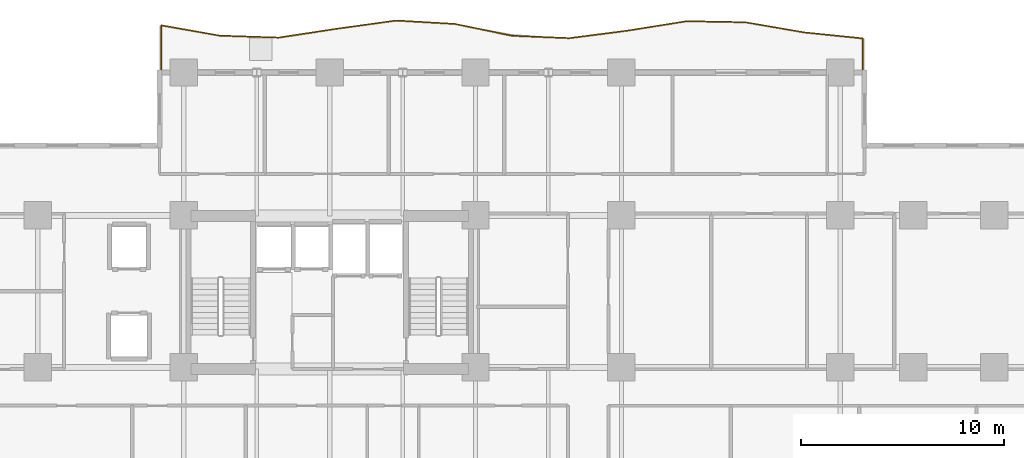
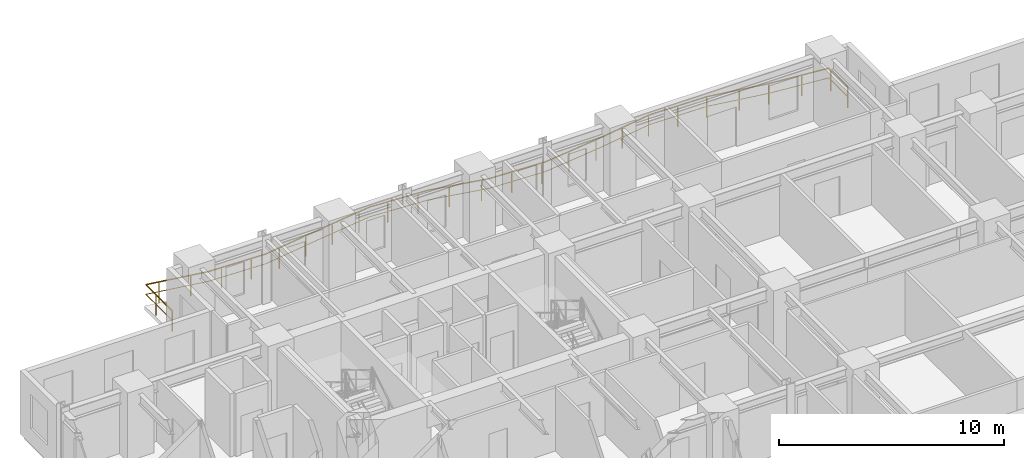
# One storey, part 11 of 11: 1 railing.
"""IFC4 building model written with IfcOpenShell, lengths in metres."""

from ifc_helpers import new_model, si_unit, direction, frame, origin, origin_2d, place, context, subcontext, project, spatial, rectangle, extrude, material, type_object, element, save


model = new_model("IFC4")

# Units and contexts
model_context = context("Model", 3, precision=1e-05, world=origin(), true_north=direction((0.0, 1.0)))
body_context = subcontext(model_context, "Body", "Model", "MODEL_VIEW")
ifc_project = project(units=[si_unit("LENGTHUNIT", "METRE"), si_unit("AREAUNIT", "SQUARE_METRE"), si_unit("VOLUMEUNIT", "CUBIC_METRE"), si_unit("PLANEANGLEUNIT", "RADIAN"), si_unit("MASSUNIT", "GRAM", prefix="KILO")], contexts=[model_context])

# Site, building, storey
site_placement = place(None, origin())
site = spatial("IfcSite", under=ifc_project, at=site_placement, CompositionType="ELEMENT")
building_placement = place(site_placement, origin())
building = spatial("IfcBuilding", under=site, at=building_placement, Name="Kaliganga Portal Commons", CompositionType="ELEMENT")
storey_placement = place(building_placement, frame((0.0, 0.0, 66.0)))
storey = spatial("IfcBuildingStorey", under=building, at=storey_placement, Name="L16", CompositionType="ELEMENT", Elevation=66.0)

# Railing
ifc_material = material(Name="Laminated Safety Glass and Stainless Steel 316", Category="steel")
railing_type = type_object("IfcRailingType", Name="RLG-BAL-1150", PredefinedType="BALUSTRADE", material=ifc_material)
railing_placement = place(storey_placement, frame((47.92041015625, 43.20849609375, 0.0)))
element("IfcRailing", 1, at=railing_placement, inside=storey, type_object=railing_type, Name="Balcony Guardrail L16 balc_north", PredefinedType="BALUSTRADE", context=body_context, shape_type="SweptSolid", body=[
    extrude(rectangle(XDim=0.048095703125, YDim=0.048095703125, at=origin_2d()), frame((0.0, 0.0, 1.1259765625), z_axis=(-0.000290866771, 0.999999957698, 0.0), x_axis=(-0.999999957698, -0.000290866771, 0.0)), (0.0, 0.0, 1.0), 1.6787109375),
    extrude(rectangle(XDim=0.028076171875, YDim=0.028076171875, at=origin_2d()), frame((0.0, 0.0, 0.597900390625), z_axis=(-0.000290866771, 0.999999957698, 0.0), x_axis=(-0.999999957698, -0.000290866771, 0.0)), (0.0, 0.0, 1.0), 1.6787109375),
    extrude(rectangle(XDim=0.048095703125, YDim=0.048095703125, at=origin_2d()), frame((-0.00048828125, 1.6787109375, 1.1259765625), z_axis=(-0.994834487762, 0.101510304695, 0.0), x_axis=(-0.101510304695, -0.994834487762, 0.0)), (0.0, 0.0, 1.0), 2.9150390625),
    extrude(rectangle(XDim=0.028076171875, YDim=0.028076171875, at=origin_2d()), frame((-0.00048828125, 1.6787109375, 0.597900390625), z_axis=(-0.994834487762, 0.101510304695, 0.0), x_axis=(-0.101510304695, -0.994834487762, 0.0)), (0.0, 0.0, 1.0), 2.9150390625),
    extrude(rectangle(XDim=0.048095703125, YDim=0.048095703125, at=origin_2d()), frame((-2.900390625, 1.974609375, 1.1259765625), z_axis=(-0.985375695281, 0.170395830789, 0.0), x_axis=(-0.170395830789, -0.985375695281, 0.0)), (0.0, 0.0, 1.0), 2.94287109375),
    extrude(rectangle(XDim=0.028076171875, YDim=0.028076171875, at=origin_2d()), frame((-2.900390625, 1.974609375, 0.597900390625), z_axis=(-0.985375695281, 0.170395830789, 0.0), x_axis=(-0.170395830789, -0.985375695281, 0.0)), (0.0, 0.0, 1.0), 2.94287109375),
    extrude(rectangle(XDim=0.048095703125, YDim=0.048095703125, at=origin_2d()), frame((-5.80029296875, 2.47607421875, 1.1259765625), z_axis=(-0.999836222748, 0.018097725871, 0.0), x_axis=(-0.018097725871, -0.999836222748, 0.0)), (0.0, 0.0, 1.0), 2.900390625),
    extrude(rectangle(XDim=0.028076171875, YDim=0.028076171875, at=origin_2d()), frame((-5.80029296875, 2.47607421875, 0.597900390625), z_axis=(-0.999836222748, 0.018097725871, 0.0), x_axis=(-0.018097725871, -0.999836222748, 0.0)), (0.0, 0.0, 1.0), 2.900390625),
    extrude(rectangle(XDim=0.048095703125, YDim=0.048095703125, at=origin_2d()), frame((-8.7001953125, 2.528564453125, 1.1259765625), z_axis=(-0.987448930145, -0.157938628443, 0.0), x_axis=(0.157938628443, -0.987448930145, 0.0)), (0.0, 0.0, 1.0), 2.93701171875),
    extrude(rectangle(XDim=0.028076171875, YDim=0.028076171875, at=origin_2d()), frame((-8.7001953125, 2.528564453125, 0.597900390625), z_axis=(-0.987448930145, -0.157938628443, 0.0), x_axis=(0.157938628443, -0.987448930145, 0.0)), (0.0, 0.0, 1.0), 2.93701171875),
    extrude(rectangle(XDim=0.048095703125, YDim=0.048095703125, at=origin_2d()), frame((-11.600341796875, 2.064697265625, 1.1259765625), z_axis=(-0.991827022196, -0.127589803832, 0.0), x_axis=(0.127589803832, -0.991827022196, 0.0)), (0.0, 0.0, 1.0), 2.923828125),
    extrude(rectangle(XDim=0.028076171875, YDim=0.028076171875, at=origin_2d()), frame((-11.600341796875, 2.064697265625, 0.597900390625), z_axis=(-0.991827022196, -0.127589803832, 0.0), x_axis=(0.127589803832, -0.991827022196, 0.0)), (0.0, 0.0, 1.0), 2.923828125),
    extrude(rectangle(XDim=0.048095703125, YDim=0.048095703125, at=origin_2d()), frame((-14.500244140625, 1.691650390625, 1.1259765625), z_axis=(-0.999119680054, 0.041950744076, 0.0), x_axis=(-0.041950744076, -0.999119680054, 0.0)), (0.0, 0.0, 1.0), 2.822509765625),
    extrude(rectangle(XDim=0.028076171875, YDim=0.028076171875, at=origin_2d()), frame((-14.500244140625, 1.691650390625, 0.597900390625), z_axis=(-0.999119680054, 0.041950744076, 0.0), x_axis=(-0.041950744076, -0.999119680054, 0.0)), (0.0, 0.0, 1.0), 2.822509765625),
    extrude(rectangle(XDim=0.048095703125, YDim=0.048095703125, at=origin_2d()), frame((-17.3203125, 1.81005859375, 1.1259765625), z_axis=(-0.979181519102, 0.202986582434, 0.0), x_axis=(-0.202986582434, -0.979181519102, 0.0)), (0.0, 0.0, 1.0), 2.8818359375),
    extrude(rectangle(XDim=0.028076171875, YDim=0.028076171875, at=origin_2d()), frame((-17.3203125, 1.81005859375, 0.597900390625), z_axis=(-0.979181519102, 0.202986582434, 0.0), x_axis=(-0.202986582434, -0.979181519102, 0.0)), (0.0, 0.0, 1.0), 2.8818359375),
    extrude(rectangle(XDim=0.048095703125, YDim=0.048095703125, at=origin_2d()), frame((-20.14208984375, 2.39501953125, 1.1259765625), z_axis=(-0.998349782206, 0.057425711744, 0.0), x_axis=(-0.057425711744, -0.998349782206, 0.0)), (0.0, 0.0, 1.0), 2.90380859375),
    extrude(rectangle(XDim=0.028076171875, YDim=0.028076171875, at=origin_2d()), frame((-20.14208984375, 2.39501953125, 0.597900390625), z_axis=(-0.998349782206, 0.057425711744, 0.0), x_axis=(-0.057425711744, -0.998349782206, 0.0)), (0.0, 0.0, 1.0), 2.90380859375),
    extrude(rectangle(XDim=0.048095703125, YDim=0.048095703125, at=origin_2d()), frame((-23.041015625, 2.561767578125, 1.1259765625), z_axis=(-0.990542717902, -0.137204679265, 0.0), x_axis=(0.137204679265, -0.990542717902, 0.0)), (0.0, 0.0, 1.0), 2.927001953125),
    extrude(rectangle(XDim=0.028076171875, YDim=0.028076171875, at=origin_2d()), frame((-23.041015625, 2.561767578125, 0.597900390625), z_axis=(-0.990542717902, -0.137204679265, 0.0), x_axis=(0.137204679265, -0.990542717902, 0.0)), (0.0, 0.0, 1.0), 2.927001953125),
    extrude(rectangle(XDim=0.048095703125, YDim=0.048095703125, at=origin_2d()), frame((-25.9404296875, 2.16015625, 1.1259765625), z_axis=(-0.98858813949, -0.150643587513, 0.0), x_axis=(0.150643587513, -0.98858813949, 0.0)), (0.0, 0.0, 1.0), 2.933349609375),
    extrude(rectangle(XDim=0.028076171875, YDim=0.028076171875, at=origin_2d()), frame((-25.9404296875, 2.16015625, 0.597900390625), z_axis=(-0.98858813949, -0.150643587513, 0.0), x_axis=(0.150643587513, -0.98858813949, 0.0)), (0.0, 0.0, 1.0), 2.933349609375),
    extrude(rectangle(XDim=0.048095703125, YDim=0.048095703125, at=origin_2d()), frame((-28.84033203125, 1.71826171875, 1.1259765625), z_axis=(-0.999442008432, 0.033401673318, 0.0), x_axis=(-0.033401673318, -0.999442008432, 0.0)), (0.0, 0.0, 1.0), 2.90185546875),
    extrude(rectangle(XDim=0.028076171875, YDim=0.028076171875, at=origin_2d()), frame((-28.84033203125, 1.71826171875, 0.597900390625), z_axis=(-0.999442008432, 0.033401673318, 0.0), x_axis=(-0.033401673318, -0.999442008432, 0.0)), (0.0, 0.0, 1.0), 2.90185546875),
    extrude(rectangle(XDim=0.048095703125, YDim=0.048095703125, at=origin_2d()), frame((-31.740478515625, 1.815185546875, 1.1259765625), z_axis=(-0.984785228068, 0.173775874561, 0.0), x_axis=(-0.173775874561, -0.984785228068, 0.0)), (0.0, 0.0, 1.0), 2.94482421875),
    extrude(rectangle(XDim=0.028076171875, YDim=0.028076171875, at=origin_2d()), frame((-31.740478515625, 1.815185546875, 0.597900390625), z_axis=(-0.984785228068, 0.173775874561, 0.0), x_axis=(-0.173775874561, -0.984785228068, 0.0)), (0.0, 0.0, 1.0), 2.94482421875),
    extrude(rectangle(XDim=0.048095703125, YDim=0.048095703125, at=origin_2d()), frame((-34.640380859375, 2.326904296875, 1.1259765625), z_axis=(-0.000209841565, -0.999999977983, 0.0), x_axis=(0.999999977983, -0.000209841565, 0.0)), (0.0, 0.0, 1.0), 2.326904296875),
    extrude(rectangle(XDim=0.028076171875, YDim=0.028076171875, at=origin_2d()), frame((-34.640380859375, 2.326904296875, 0.597900390625), z_axis=(-0.000209841565, -0.999999977983, 0.0), x_axis=(0.999999977983, -0.000209841565, 0.0)), (0.0, 0.0, 1.0), 2.326904296875),
    extrude(rectangle(XDim=0.0419921875, YDim=0.0419921875, at=origin_2d()), origin(), (0.0, 0.0, 1.0), 1.101806640625),
    extrude(rectangle(XDim=0.0419921875, YDim=0.0419921875, at=origin_2d()), frame((-0.00048828125, 1.5, 0.0)), (0.0, 0.0, 1.0), 1.101806640625),
    extrude(rectangle(XDim=0.0419921875, YDim=0.0419921875, at=origin_2d()), frame((-1.31494140625, 1.812744140625, 0.0)), (0.0, 0.0, 1.0), 1.101806640625),
    extrude(rectangle(XDim=0.0419921875, YDim=0.0419921875, at=origin_2d()), frame((-2.900390625, 1.974609375, 0.0)), (0.0, 0.0, 1.0), 1.101806640625),
    extrude(rectangle(XDim=0.0419921875, YDim=0.0419921875, at=origin_2d()), frame((-4.2861328125, 2.21435546875, 0.0)), (0.0, 0.0, 1.0), 1.101806640625),
    extrude(rectangle(XDim=0.0419921875, YDim=0.0419921875, at=origin_2d()), frame((-5.80029296875, 2.47607421875, 0.0)), (0.0, 0.0, 1.0), 1.101806640625),
    extrude(rectangle(XDim=0.0419921875, YDim=0.0419921875, at=origin_2d()), frame((-7.263427734375, 2.50244140625, 0.0)), (0.0, 0.0, 1.0), 1.101806640625),
    extrude(rectangle(XDim=0.0419921875, YDim=0.0419921875, at=origin_2d()), frame((-8.762451171875, 2.5185546875, 0.0)), (0.0, 0.0, 1.0), 1.101806640625),
    extrude(rectangle(XDim=0.0419921875, YDim=0.0419921875, at=origin_2d()), frame((-10.24365234375, 2.28173828125, 0.0)), (0.0, 0.0, 1.0), 1.101806640625),
    extrude(rectangle(XDim=0.0419921875, YDim=0.0419921875, at=origin_2d()), frame((-11.725341796875, 2.048583984375, 0.0)), (0.0, 0.0, 1.0), 1.101806640625),
    extrude(rectangle(XDim=0.0419921875, YDim=0.0419921875, at=origin_2d()), frame((-13.213134765625, 1.857177734375, 0.0)), (0.0, 0.0, 1.0), 1.101806640625),
    extrude(rectangle(XDim=0.0419921875, YDim=0.0419921875, at=origin_2d()), frame((-14.7021484375, 1.7001953125, 0.0)), (0.0, 0.0, 1.0), 1.101806640625),
    extrude(rectangle(XDim=0.0419921875, YDim=0.0419921875, at=origin_2d()), frame((-16.200927734375, 1.762939453125, 0.0)), (0.0, 0.0, 1.0), 1.101806640625),
    extrude(rectangle(XDim=0.0419921875, YDim=0.0419921875, at=origin_2d()), frame((-17.692138671875, 1.88720703125, 0.0)), (0.0, 0.0, 1.0), 1.101806640625),
    extrude(rectangle(XDim=0.0419921875, YDim=0.0419921875, at=origin_2d()), frame((-19.160888671875, 2.191650390625, 0.0)), (0.0, 0.0, 1.0), 1.101806640625),
    extrude(rectangle(XDim=0.0419921875, YDim=0.0419921875, at=origin_2d()), frame((-20.63916015625, 2.423583984375, 0.0)), (0.0, 0.0, 1.0), 1.101806640625),
    extrude(rectangle(XDim=0.0419921875, YDim=0.0419921875, at=origin_2d()), frame((-22.13671875, 2.509765625, 0.0)), (0.0, 0.0, 1.0), 1.101806640625),
    extrude(rectangle(XDim=0.0419921875, YDim=0.0419921875, at=origin_2d()), frame((-23.629638671875, 2.480224609375, 0.0)), (0.0, 0.0, 1.0), 1.101806640625),
    extrude(rectangle(XDim=0.0419921875, YDim=0.0419921875, at=origin_2d()), frame((-25.115478515625, 2.2744140625, 0.0)), (0.0, 0.0, 1.0), 1.101806640625),
    extrude(rectangle(XDim=0.0419921875, YDim=0.0419921875, at=origin_2d()), frame((-26.599853515625, 2.0595703125, 0.0)), (0.0, 0.0, 1.0), 1.101806640625),
    extrude(rectangle(XDim=0.0419921875, YDim=0.0419921875, at=origin_2d()), frame((-28.082763671875, 1.833740234375, 0.0)), (0.0, 0.0, 1.0), 1.101806640625),
    extrude(rectangle(XDim=0.0419921875, YDim=0.0419921875, at=origin_2d()), frame((-29.57373046875, 1.74267578125, 0.0)), (0.0, 0.0, 1.0), 1.101806640625),
    extrude(rectangle(XDim=0.0419921875, YDim=0.0419921875, at=origin_2d()), frame((-31.07275390625, 1.79296875, 0.0)), (0.0, 0.0, 1.0), 1.101806640625),
    extrude(rectangle(XDim=0.0419921875, YDim=0.0419921875, at=origin_2d()), frame((-32.559814453125, 1.959716796875, 0.0)), (0.0, 0.0, 1.0), 1.101806640625),
    extrude(rectangle(XDim=0.0419921875, YDim=0.0419921875, at=origin_2d()), frame((-34.036865234375, 2.220458984375, 0.0)), (0.0, 0.0, 1.0), 1.101806640625),
    extrude(rectangle(XDim=0.0419921875, YDim=0.0419921875, at=origin_2d()), frame((-34.640625, 1.439697265625, 0.0)), (0.0, 0.0, 1.0), 1.101806640625),
    extrude(rectangle(XDim=0.0419921875, YDim=0.0419921875, at=origin_2d()), frame((-34.640869140625, 0.0, 0.0)), (0.0, 0.0, 1.0), 1.101806640625),
])

save(model, "model.ifc")
